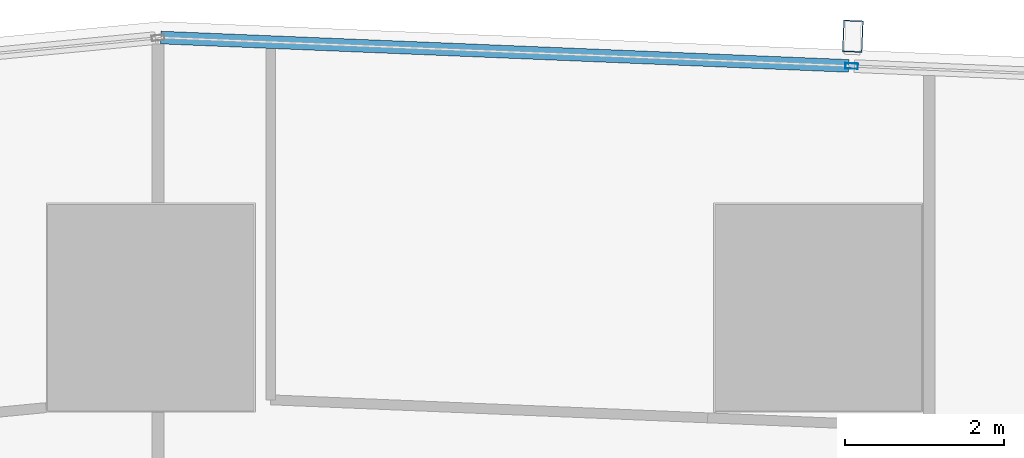
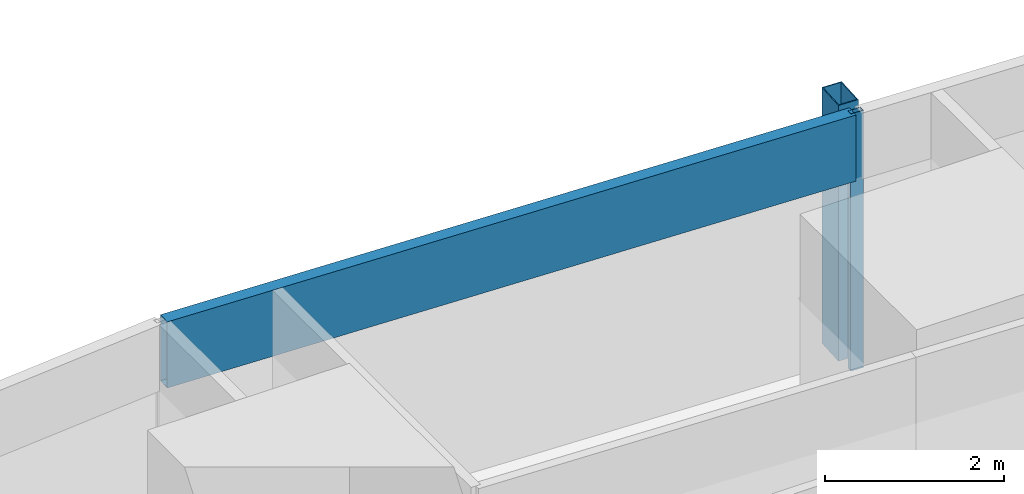
# One storey, part 18 of 46: 3 members, 1 element without a shape of its own.
"""IFC4 building model written with IfcOpenShell, lengths in metres."""

import ifcopenshell
import ifcopenshell.guid

model = None  # the IFC model being written
_history = None  # IfcOwnerHistory: only IFC2X3 demands one
_inside = {}  # id of a spatial element -> (the spatial element, [elements in it])
_under = {}  # id of a project, library or spatial element -> (it, [spatial elements below it])
_declared = {}  # id of a project -> (the project, [libraries it declares])
_typed = {}  # id of a type object -> (the type object, [elements of that type])
_made_of = {}  # id of a material, layer set ... -> (it, [elements and type objects made of it])


def new_model(schema):
    """Start an empty IFC model of exactly this schema.

    Asked for "IFC4X3", IfcOpenShell would pick the latest addendum, in which some entities
    have other attributes; the version numbers below select the first issue.
    IFC2X3 requires an IfcOwnerHistory on every rooted entity: one is made here for all.
    """
    global model, _history
    if schema == "IFC4X3":
        model = ifcopenshell.file(schema_version=(4, 3, 0, 0))
    else:
        model = ifcopenshell.file(schema=schema)
    _inside.clear()
    _under.clear()
    _declared.clear()
    _typed.clear()
    _made_of.clear()
    _history = None
    if model.schema == "IFC2X3":
        org = make("IfcOrganization", Name="unknown")
        user = make(
            "IfcPersonAndOrganization",
            ThePerson=make("IfcPerson", FamilyName="unknown"),
            TheOrganization=org,
        )
        app = make(
            "IfcApplication",
            ApplicationDeveloper=org,
            Version="unknown",
            ApplicationFullName="unknown",
            ApplicationIdentifier="unknown",
        )
        _history = make(
            "IfcOwnerHistory",
            OwningUser=user,
            OwningApplication=app,
            ChangeAction="ADDED",
            CreationDate=0,
        )
    return model


def make(cls, **values):
    """One entity of the class cls with the attributes given. An attribute that is None is left unset."""
    return model.create_entity(
        cls, **{name: value for name, value in values.items() if value is not None}
    )


def rooted(cls, **values):
    """An entity with a GlobalId (a new one), such as an element, a storey or a relation."""
    return make(cls, GlobalId=ifcopenshell.guid.new(), OwnerHistory=_history, **values)


def si_unit(unit_type, name, prefix=None):
    """IfcSIUnit, for example si_unit("LENGTHUNIT", "METRE", prefix="MILLI")."""
    return make("IfcSIUnit", UnitType=unit_type, Prefix=prefix, Name=name)


def assignment(units):
    """IfcUnitAssignment: the units of a project."""
    return None if units is None else make("IfcUnitAssignment", Units=units)


def point(xyz):
    """IfcCartesianPoint."""
    return None if xyz is None else make("IfcCartesianPoint", Coordinates=xyz)


def direction(xyz):
    """IfcDirection."""
    return None if xyz is None else make("IfcDirection", DirectionRatios=xyz)


def frame(location, z_axis=None, x_axis=None):
    """IfcAxis2Placement3D, a coordinate frame: its origin and axes. An axis left out is left unset."""
    return make(
        "IfcAxis2Placement3D",
        Location=point(location),
        Axis=direction(z_axis),
        RefDirection=direction(x_axis),
    )


def frame_2d(location, x_axis=None):
    """IfcAxis2Placement2D, a coordinate frame in the plane: its origin and x axis."""
    return make(
        "IfcAxis2Placement2D", Location=point(location), RefDirection=direction(x_axis)
    )


def origin():
    """The frame at (0, 0, 0) with its axes left unset."""
    return frame((0.0, 0.0, 0.0))


def origin_2d():
    """The frame at (0, 0) in the plane with its x axis left unset."""
    return frame_2d((0.0, 0.0))


def place(relative_to, where):
    """IfcLocalPlacement: puts the frame where relative to a parent placement (None: the world)."""
    return make(
        "IfcLocalPlacement", PlacementRelTo=relative_to, RelativePlacement=where
    )


def context(
    kind, dimensions, precision=None, world=None, true_north=None, identifier=None
):
    """IfcGeometricRepresentationContext, for example the 3D "Model" context."""
    return make(
        "IfcGeometricRepresentationContext",
        ContextIdentifier=identifier,
        ContextType=kind,
        CoordinateSpaceDimension=dimensions,
        Precision=precision,
        WorldCoordinateSystem=world,
        TrueNorth=true_north,
    )


def subcontext(parent, identifier, kind, view, scale=None):
    """IfcGeometricRepresentationSubContext, for example "Body" below "Model"."""
    return make(
        "IfcGeometricRepresentationSubContext",
        ContextIdentifier=identifier,
        ContextType=kind,
        ParentContext=parent,
        TargetScale=scale,
        TargetView=view,
    )


def project(units=None, contexts=None):
    """IfcProject with its units and contexts."""
    return rooted(
        "IfcProject",
        Name="project",
        RepresentationContexts=contexts,
        UnitsInContext=assignment(units),
    )


def spatial(cls, under=None, at=None, **own):
    """A site, building, storey or space (cls), placed at a placement, below another one or the project."""
    s = rooted(cls, ObjectPlacement=at, **own)
    if under is not None:
        _under.setdefault(under.id(), (under, []))[1].append(s)
    return s


def profile(cls, at=None, kind="AREA", **sizes):
    """A parametric profile (cls). Its sizes go by their IFC names, for example OverallWidth=200.0."""
    return make(cls, ProfileType=kind, Position=at, **sizes)


def hollow_rectangle(**sizes):
    """IfcRectangleHollowProfileDef."""
    return profile("IfcRectangleHollowProfileDef", **sizes)


def extrude(swept, where, along, depth):
    """IfcExtrudedAreaSolid: the profile swept, set in the frame where, extruded along a direction by depth."""
    return make(
        "IfcExtrudedAreaSolid",
        SweptArea=swept,
        Position=where,
        ExtrudedDirection=direction(along),
        Depth=depth,
    )


def shape(context_of_items, identifier, shape_type, items):
    """IfcShapeRepresentation: the items that make up one representation, for example the "Body"."""
    return make(
        "IfcShapeRepresentation",
        ContextOfItems=context_of_items,
        RepresentationIdentifier=identifier,
        RepresentationType=shape_type,
        Items=items,
    )


def material(Name=None, Category=None):
    """IfcMaterial."""
    return make("IfcMaterial", Name=Name, Category=Category)


def material_profile(
    of_material, cross_section, Name=None, Category=None, Priority=None
):
    """IfcMaterialProfile: a cross section and its material."""
    return make(
        "IfcMaterialProfile",
        Name=Name,
        Material=of_material,
        Profile=cross_section,
        Priority=Priority,
        Category=Category,
    )


def profile_set(profiles, Name=None, composite=None):
    """IfcMaterialProfileSet."""
    return make(
        "IfcMaterialProfileSet",
        Name=Name,
        MaterialProfiles=profiles,
        CompositeProfile=composite,
    )


def made_of(thing, what):
    """Note that an element or type object is made of a material, layer set ...; save() writes the relation."""
    if what is not None:
        _made_of.setdefault(what.id(), (what, []))[1].append(thing)
    return thing


def type_object(cls, material=None, **own):
    """A type object (cls), such as IfcWallType, which elements share."""
    return made_of(rooted(cls, **own), material)


def element(
    cls,
    number,
    at=None,
    inside=None,
    cuts=None,
    type_object=None,
    material=None,
    context=None,
    identifier="Body",
    shape_type=None,
    held_by="IfcProductDefinitionShape",
    body=None,
    shapes=None,
    **own,
):
    """One element of the class cls, such as IfcWall. Its Tag is "e" and its number.

    at: its placement. inside: the storey or other place that contains it. cuts: it is an
    opening in that element (IfcRelVoidsElement). A single representation is given by context,
    identifier, shape_type and body (its items); several are given by shapes. held_by: the class
    of the entity that holds the representations. save() writes the other relations.
    """
    e = rooted(cls, Tag="e%d" % number, ObjectPlacement=at, **own)
    if body is not None:
        shapes = [shape(context, identifier, shape_type, body)]
    if shapes is not None:
        e.Representation = make(held_by, Representations=shapes)
    if inside is not None:
        _inside.setdefault(inside.id(), (inside, []))[1].append(e)
    if cuts is not None:
        rooted(
            "IfcRelVoidsElement", RelatingBuildingElement=cuts, RelatedOpeningElement=e
        )
    if type_object is not None:
        _typed.setdefault(type_object.id(), (type_object, []))[1].append(e)
    return made_of(e, material)


def aggregate(whole, parts):
    """IfcRelAggregates: a whole, such as a stair, and the parts it consists of."""
    return rooted("IfcRelAggregates", RelatingObject=whole, RelatedObjects=parts)


def save(model, path):
    """Write the relations noted so far, then the file.

    IfcRelAggregates (storeys below a building ...), IfcRelContainedInSpatialStructure (elements
    in a storey), IfcRelDefinesByType, IfcRelAssociatesMaterial and IfcRelDeclares: one each for
    every whole, place, type object, material and project.
    """
    for whole, parts in _under.values():
        aggregate(whole, parts)
    for where, things in _inside.values():
        rooted(
            "IfcRelContainedInSpatialStructure",
            RelatedElements=things,
            RelatingStructure=where,
        )
    for kind, things in _typed.values():
        rooted("IfcRelDefinesByType", RelatedObjects=things, RelatingType=kind)
    for what, things in _made_of.values():
        rooted("IfcRelAssociatesMaterial", RelatedObjects=things, RelatingMaterial=what)
    for by, libraries in _declared.values():
        rooted("IfcRelDeclares", RelatingContext=by, RelatedDefinitions=libraries)
    model.write(path)


model = new_model("IFC4")

# Units and contexts
model_context = context("Model", 3, precision=1e-05, world=origin(), true_north=direction((0.0, 1.0)))
body_context = subcontext(model_context, "Body", "Model", "MODEL_VIEW")
ifc_project = project(units=[si_unit("LENGTHUNIT", "METRE"), si_unit("AREAUNIT", "SQUARE_METRE"), si_unit("VOLUMEUNIT", "CUBIC_METRE"), si_unit("PLANEANGLEUNIT", "RADIAN"), si_unit("MASSUNIT", "GRAM", prefix="KILO")], contexts=[model_context])

# Site, building, storey
site_placement = place(None, origin())
site = spatial("IfcSite", under=ifc_project, at=site_placement, CompositionType="ELEMENT")
building_placement = place(site_placement, origin())
building = spatial("IfcBuilding", under=site, at=building_placement, Name="Rekha Terrace Tower", CompositionType="ELEMENT")
storey_placement = place(building_placement, frame((0.0, 0.0, 29.14990234375)))
storey = spatial("IfcBuildingStorey", under=building, at=storey_placement, Name="L06", CompositionType="ELEMENT", Elevation=29.14990234375)

# Curtain wall, members
ifc_material_1 = material(Name="Aluminium framing", Category="aluminium")
curtain_wall_type = type_object("IfcCurtainWallType", Name="CW3 north unitised glazing", PredefinedType="USERDEFINED", material=ifc_material_1)
curtain_wall_placement = place(storey_placement, origin())
curtain_wall = element("IfcCurtainWall", 1, at=curtain_wall_placement, inside=storey, type_object=curtain_wall_type, Name="CW3 unitised curtain wall", ObjectType="UNITISED CURTAIN WALL", PredefinedType="USERDEFINED")
ifc_material_2 = material(Name="Steel S355 with fluorocarbon finish", Category="steel")
ifc_material_profile_1 = material_profile(ifc_material_2, hollow_rectangle(XDim=0.25, YDim=0.39990234375, WallThickness=0.012451171875, at=origin_2d()), Name="RHS400x250x12.5")
ifc_profile_set_1 = profile_set([ifc_material_profile_1], Name="Steel S355 with fluorocarbon finish")
member_type_1 = type_object("IfcMemberType", Name="BL1 facade blade RHS 400 x 250", PredefinedType="USERDEFINED", material=ifc_profile_set_1)
member_1_placement = place(storey_placement, frame((34.037353515625, 62.2158203125, 0.02001953125), z_axis=(0.0, 0.0, 1.0), x_axis=(-0.99915196507, 0.041174636562, 0.0)))
member_1 = element("IfcMember", 2, at=member_1_placement, type_object=member_type_1, Name="Facade blade", ObjectType="FACADE BLADE", PredefinedType="USERDEFINED", context=body_context, shape_type="SweptSolid", body=[
    extrude(hollow_rectangle(XDim=0.25, YDim=0.39990234375, WallThickness=0.012451171875, at=origin_2d()), origin(), (0.0, 0.0, 1.0), 3.47998046875),
])
ifc_material_3 = material(Name="Aluminium mullion section", Category="aluminium")
ifc_material_profile_2 = material_profile(ifc_material_3, hollow_rectangle(XDim=0.070068359375, YDim=0.159912109375, WallThickness=0.00390625, at=origin_2d()), Name="AL RHS 70x160")
ifc_profile_set_2 = profile_set([ifc_material_profile_2], Name="Aluminium mullion section")
member_type_2 = type_object("IfcMemberType", Name="CW3 mullion RHS 70 x 160", PredefinedType="MULLION", material=ifc_profile_set_2)
member_2_placement = place(storey_placement, frame((34.02197265625, 61.84130859375, 0.0), z_axis=(0.0, 0.0, 1.0), x_axis=(-0.041173846041, -0.999151997647, 0.0)))
member_2 = element("IfcMember", 3, at=member_2_placement, type_object=member_type_2, Name="CW3 mullion 5", PredefinedType="MULLION", context=body_context, shape_type="SweptSolid", body=[
    extrude(hollow_rectangle(XDim=0.070068359375, YDim=0.159912109375, WallThickness=0.00390625, at=origin_2d()), origin(), (0.0, 0.0, 1.0), 3.5),
])
ifc_material_4 = material(Name="Insulated aluminium spandrel box", Category="aluminium")
ifc_material_profile_3 = material_profile(ifc_material_4, hollow_rectangle(XDim=0.159912109375, YDim=0.89990234375, WallThickness=0.0029296875, at=origin_2d()), Name="AL SPANDREL BOX 160x900")
ifc_profile_set_3 = profile_set([ifc_material_profile_3], Name="Insulated aluminium spandrel box")
member_type_3 = type_object("IfcMemberType", Name="CW3 spandrel transom 160 x 900", PredefinedType="USERDEFINED", material=ifc_profile_set_3)
member_3_placement = place(storey_placement, frame((33.987060546875, 61.8427734375, 3.050048828125), z_axis=(-0.999152004012, 0.04117369158, 0.0), x_axis=(-0.04117369158, -0.999152004012, 0.0)))
member_3 = element("IfcMember", 4, at=member_3_placement, type_object=member_type_3, Name="CW3 spandrel transom 5", ObjectType="TRANSOM", PredefinedType="USERDEFINED", context=body_context, shape_type="SweptSolid", body=[
    extrude(hollow_rectangle(XDim=0.159912109375, YDim=0.89990234375, WallThickness=0.0029296875, at=origin_2d()), origin(), (0.0, 0.0, 1.0), 8.6689453125),
])
aggregate(curtain_wall, [member_2, member_3, member_1])

save(model, "model.ifc")
